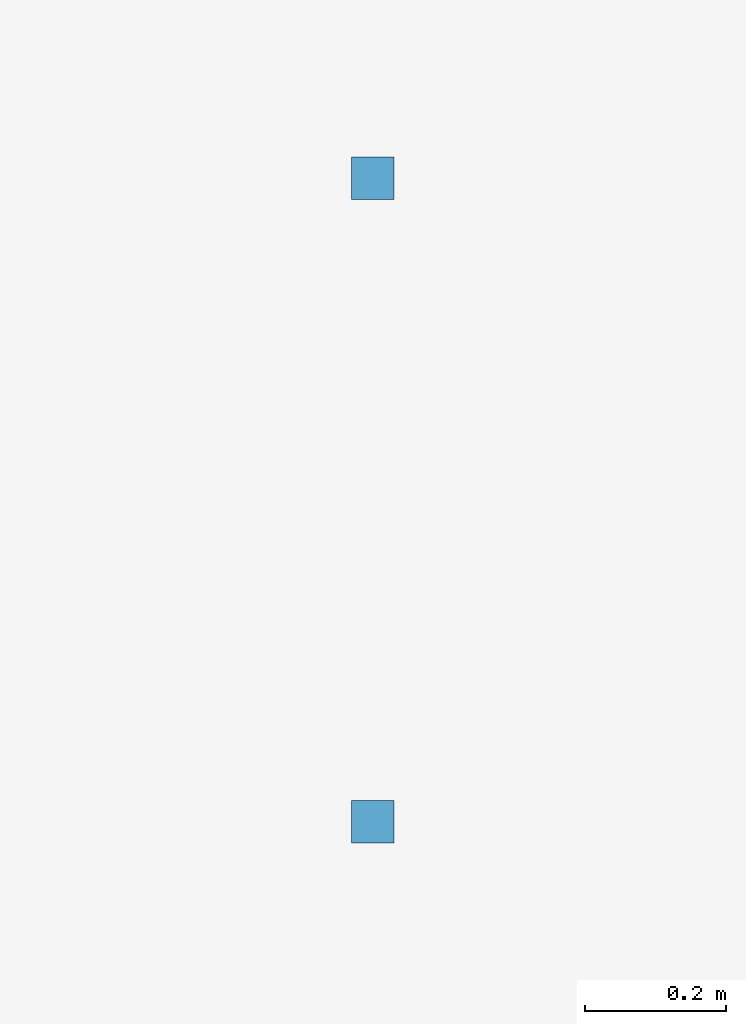
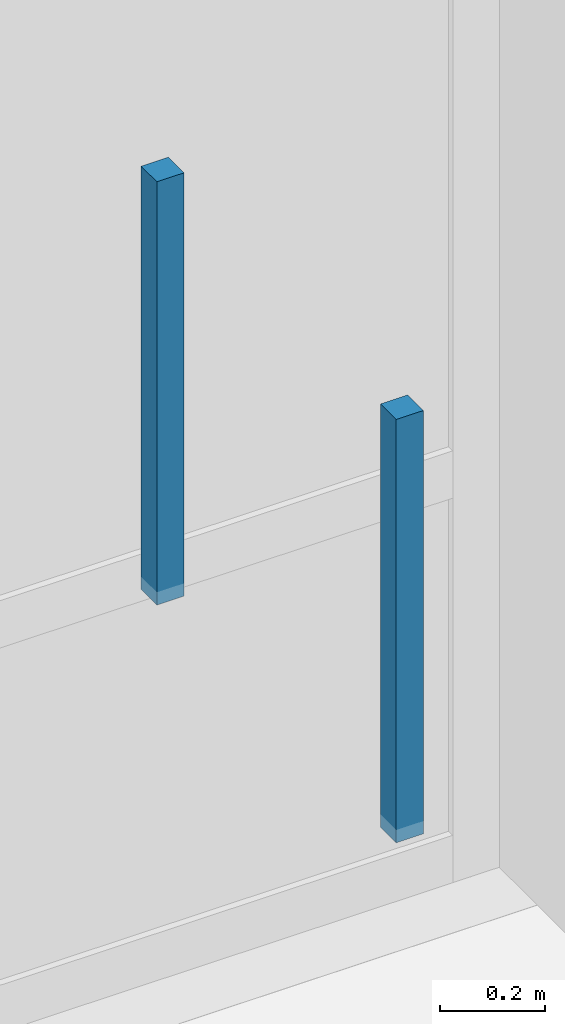
# One storey, part 18 of 32: 2 discrete accessories.
"""IFC4 building model written with IfcOpenShell, lengths in metres."""

from ifc_helpers import new_model, si_unit, direction, frame, origin, origin_2d, place, context, subcontext, project, spatial, rectangle, extrude, material, type_object, element, save


model = new_model("IFC4")

# Units and contexts
model_context = context("Model", 3, precision=1e-05, world=origin(), true_north=direction((0.0, 1.0)))
body_context = subcontext(model_context, "Body", "Model", "MODEL_VIEW")
ifc_project = project(units=[si_unit("LENGTHUNIT", "METRE"), si_unit("AREAUNIT", "SQUARE_METRE"), si_unit("VOLUMEUNIT", "CUBIC_METRE"), si_unit("PLANEANGLEUNIT", "RADIAN"), si_unit("MASSUNIT", "GRAM", prefix="KILO")], contexts=[model_context])

# Site, building, storey
site_placement = place(None, origin())
site = spatial("IfcSite", under=ifc_project, at=site_placement, CompositionType="ELEMENT")
building_placement = place(site_placement, origin())
building = spatial("IfcBuilding", under=site, at=building_placement, Name="Telukmera Botanical Conservatory", CompositionType="ELEMENT")
storey_placement = place(building_placement, frame((0.0, 0.0, 42.0)))
storey = spatial("IfcBuildingStorey", under=building, at=storey_placement, Name="L09", CompositionType="ELEMENT", Elevation=42.0)

# Discrete accessories
ifc_material = material(Name="Steel S355", Category="steel")
discrete_accessory_type = type_object("IfcDiscreteAccessoryType", Name="ACC-CEIL-HGR", PredefinedType="BRACKET", material=ifc_material)
for number, where, z_axis, x_axis, name in (
    (1, (72.780029296875, 38.862548828125, 3.31982421875), (0.0, 0.0, 1.0), (1.0, 0.0, 0.0), "L09 Suspended Ceiling Hanger Rod 035-1"),
    (2, (72.780029296875, 39.77490234375, 3.31982421875), (0.0, 0.0, 1.0), (1.0, 0.0, 0.0), "L09 Suspended Ceiling Hanger Rod 035-2"),
):
    element("IfcDiscreteAccessory", number, at=place(storey_placement, frame(where, z_axis=z_axis, x_axis=x_axis)), inside=storey, type_object=discrete_accessory_type, Name=name, PredefinedType="BRACKET", context=body_context, shape_type="SweptSolid", body=[
        extrude(rectangle(XDim=0.06005859375, YDim=0.06005859375, at=origin_2d()), origin(), (0.0, 0.0, 1.0), 0.985107421875),
    ])

save(model, "model.ifc")
